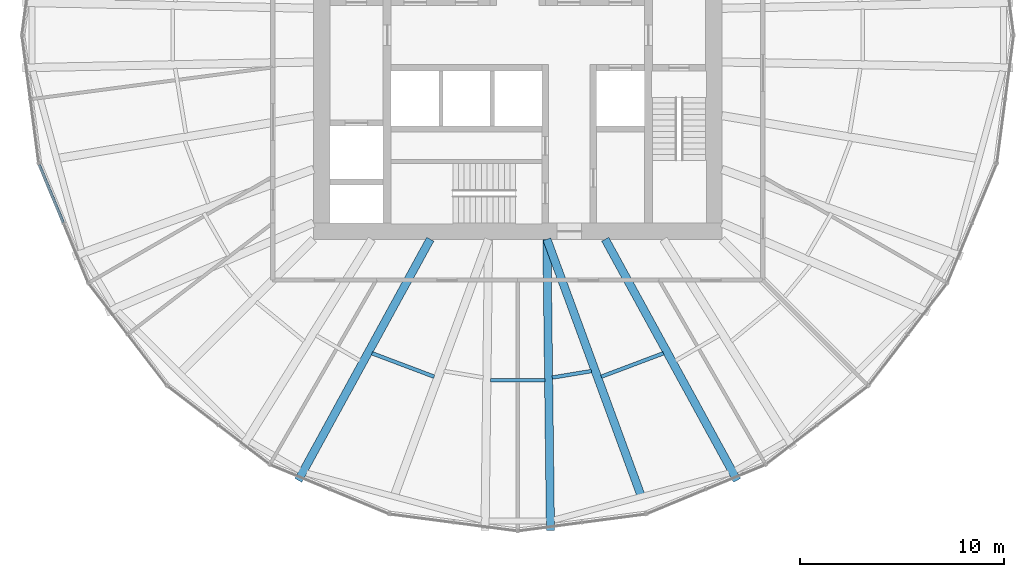
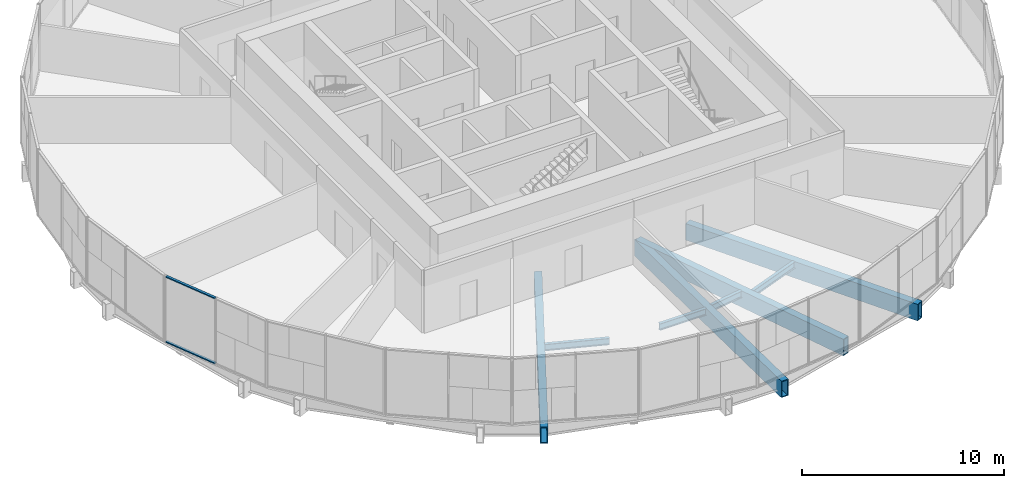
# One storey, part 2 of 13: 8 beams, 2 members, 1 element without a shape of its own.
"""IFC4 building model written with IfcOpenShell, lengths in metres."""

from ifc_helpers import new_model, si_unit, direction, frame, origin, origin_2d, place, context, subcontext, project, spatial, rectangle, hollow_rectangle, i_section, extrude, material, material_profile, profile_set, type_object, element, aggregate, save


model = new_model("IFC4")

# Units and contexts
model_context = context("Model", 3, precision=1e-05, world=origin(), true_north=direction((0.0, 1.0)))
body_context = subcontext(model_context, "Body", "Model", "MODEL_VIEW")
ifc_project = project(units=[si_unit("LENGTHUNIT", "METRE"), si_unit("AREAUNIT", "SQUARE_METRE"), si_unit("VOLUMEUNIT", "CUBIC_METRE"), si_unit("PLANEANGLEUNIT", "RADIAN"), si_unit("MASSUNIT", "GRAM", prefix="KILO")], contexts=[model_context])

# Site, building, storey
site_placement = place(None, origin())
site = spatial("IfcSite", under=ifc_project, at=site_placement, CompositionType="ELEMENT")
building_placement = place(site_placement, origin())
building = spatial("IfcBuilding", under=site, at=building_placement, Name="Golbaran Civic Tower", CompositionType="ELEMENT")
storey_placement = place(building_placement, frame((0.0, 0.0, 81.0)))
storey = spatial("IfcBuildingStorey", under=building, at=storey_placement, Name="L19", CompositionType="ELEMENT", Elevation=81.0)

# Beams
ifc_material_1 = material(Name="Steel S355", Category="steel")
ifc_material_profile_1 = material_profile(ifc_material_1, i_section(OverallWidth=0.179931640625, OverallDepth=0.39990234375, WebThickness=0.008544921875, FlangeThickness=0.013427734375, FilletRadius=0.02099609375, at=origin_2d()), Name="IPE 400")
ifc_profile_set_1 = profile_set([ifc_material_profile_1], Name="Steel S355")
beam_type_1 = type_object("IfcBeamType", Name="FLOOR INFILL BEAM IPE 400", PredefinedType="BEAM", material=ifc_profile_set_1)
beam_1_placement = place(storey_placement, frame((-7.136962890625, -15.58447265625, -0.39990234375), z_axis=(0.935751282386, -0.352660654897, 0.0), x_axis=(0.352660654897, 0.935751282386, 0.0)))
element("IfcBeam", 1, at=beam_1_placement, inside=storey, type_object=beam_type_1, Name="Infill beam 249.35 L19", PredefinedType="BEAM", context=body_context, shape_type="SweptSolid", body=[
    extrude(i_section(OverallWidth=0.179931640625, OverallDepth=0.39990234375, WebThickness=0.008544921875, FlangeThickness=0.013427734375, FilletRadius=0.02099609375, at=origin_2d()), origin(), (0.0, 0.0, 1.0), 3.253662109375),
])
beam_2_placement = place(storey_placement, frame((-1.332763671875, -16.8994140625, -0.39990234375), z_axis=(1.0, 0.0, 0.0), x_axis=(0.0, 1.0, 0.0)))
element("IfcBeam", 2, at=beam_2_placement, inside=storey, type_object=beam_type_1, Name="Infill beam 270.00 L19", PredefinedType="BEAM", context=body_context, shape_type="SweptSolid", body=[
    extrude(i_section(OverallWidth=0.179931640625, OverallDepth=0.39990234375, WebThickness=0.008544921875, FlangeThickness=0.013427734375, FilletRadius=0.02099609375, at=origin_2d()), origin(), (0.0, 0.0, 1.0), 2.66552734375),
])
beam_3_placement = place(storey_placement, frame((1.691162109375, -16.772705078125, -0.39990234375), z_axis=(0.986728144037, 0.162380940275, 0.0), x_axis=(-0.162380940275, 0.986728144037, 0.0)))
element("IfcBeam", 3, at=beam_3_placement, inside=storey, type_object=beam_type_1, Name="Infill beam 279.35 L19", PredefinedType="BEAM", context=body_context, shape_type="SweptSolid", body=[
    extrude(i_section(OverallWidth=0.179931640625, OverallDepth=0.39990234375, WebThickness=0.008544921875, FlangeThickness=0.013427734375, FilletRadius=0.02099609375, at=origin_2d()), origin(), (0.0, 0.0, 1.0), 1.942626953125),
])
beam_4_placement = place(storey_placement, frame((4.09228515625, -16.73193359375, -0.39990234375), z_axis=(0.935751282386, 0.352660654897, 0.0), x_axis=(-0.352660654897, 0.935751282386, 0.0)))
element("IfcBeam", 4, at=beam_4_placement, inside=storey, type_object=beam_type_1, Name="Infill beam 290.65 L19", PredefinedType="BEAM", context=body_context, shape_type="SweptSolid", body=[
    extrude(i_section(OverallWidth=0.179931640625, OverallDepth=0.39990234375, WebThickness=0.008544921875, FlangeThickness=0.013427734375, FilletRadius=0.02099609375, at=origin_2d()), origin(), (0.0, 0.0, 1.0), 3.253662109375),
])

# Curtain wall, members
ifc_material_2 = material(Name="Aluminium and glass", Category="aluminium")
curtain_wall_type = type_object("IfcCurtainWallType", Name="INNER SKIN CURTAIN WALL", PredefinedType="NOTDEFINED", material=ifc_material_2)
curtain_wall_placement = place(storey_placement, origin())
curtain_wall = element("IfcCurtainWall", 5, at=curtain_wall_placement, inside=storey, type_object=curtain_wall_type, Name="Inner skin L19 facet 14 CW1", ObjectType="INNER SKIN", PredefinedType="USERDEFINED")
ifc_material_3 = material(Name="Aluminium", Category="aluminium")
ifc_material_profile_2 = material_profile(ifc_material_3, rectangle(XDim=0.139892578125, YDim=0.06494140625, at=origin_2d()), Name="INNER SKIN CURTAIN WALL TRANSOM")
ifc_profile_set_2 = profile_set([ifc_material_profile_2], Name="Aluminium")
member_type = type_object("IfcMemberType", Name="INNER SKIN CURTAIN WALL TRANSOM", PredefinedType="USERDEFINED", material=ifc_profile_set_2)
member_1_placement = place(storey_placement, frame((-23.4375, -6.3466796875, 0.032470703125), z_axis=(0.382690924362, -0.923876429189, 0.0), x_axis=(0.923876429189, 0.382690924362, 0.0)))
member_1 = element("IfcMember", 6, at=member_1_placement, type_object=member_type, Name="CW1 transom 1.1", ObjectType="TRANSOM", PredefinedType="USERDEFINED", context=body_context, shape_type="SweptSolid", body=[
    extrude(rectangle(XDim=0.139892578125, YDim=0.06494140625, at=origin_2d()), origin(), (0.0, 0.0, 1.0), 3.072998046875),
])
member_2_placement = place(storey_placement, frame((-23.4375, -6.3466796875, 3.967529296875), z_axis=(0.382690924362, -0.923876429189, 0.0), x_axis=(0.923876429189, 0.382690924362, 0.0)))
member_2 = element("IfcMember", 7, at=member_2_placement, type_object=member_type, Name="CW1 transom 1.2", ObjectType="TRANSOM", PredefinedType="USERDEFINED", context=body_context, shape_type="SweptSolid", body=[
    extrude(rectangle(XDim=0.139892578125, YDim=0.06494140625, at=origin_2d()), origin(), (0.0, 0.0, 1.0), 3.072998046875),
])
aggregate(curtain_wall, [member_1, member_2])

# Beams
ifc_material_profile_3 = material_profile(ifc_material_1, hollow_rectangle(XDim=0.39990234375, YDim=1.0, WallThickness=0.050048828125, at=origin_2d()), Name="BOX 1000x400x50")
ifc_profile_set_3 = profile_set([ifc_material_profile_3], Name="Steel S355")
beam_type_2 = type_object("IfcBeamType", Name="RADIAL FLOOR BEAM BOX 1000x400x50", PredefinedType="BEAM", material=ifc_profile_set_3)
beam_5_placement = place(storey_placement, frame((-4.28564453125, -10.0, -0.7099609375), z_axis=(-0.480115960165, -0.877205030078, 0.0), x_axis=(0.877205030078, -0.480115960165, 0.0)))
element("IfcBeam", 8, at=beam_5_placement, inside=storey, type_object=beam_type_2, Name="Radial beam 243.70 L19", PredefinedType="BEAM", context=body_context, shape_type="SweptSolid", body=[
    extrude(hollow_rectangle(XDim=0.39990234375, YDim=1.0, WallThickness=0.050048828125, at=origin_2d()), origin(), (0.0, 0.0, 1.0), 13.461669921875),
])
beam_6_placement = place(storey_placement, frame((1.428466796875, -10.0, -0.7099609375), z_axis=(0.012206322448, -0.999925500071, 0.0), x_axis=(0.999925500071, 0.012206322448, 0.0)))
element("IfcBeam", 9, at=beam_6_placement, inside=storey, type_object=beam_type_2, Name="Radial beam 273.70 L19", PredefinedType="BEAM", context=body_context, shape_type="SweptSolid", body=[
    extrude(hollow_rectangle(XDim=0.39990234375, YDim=1.0, WallThickness=0.050048828125, at=origin_2d()), origin(), (0.0, 0.0, 1.0), 14.2607421875),
])
beam_7_placement = place(storey_placement, frame((4.28564453125, -10.0, -0.7099609375), z_axis=(0.480115960165, -0.877205030078, 0.0), x_axis=(0.877205030078, 0.480115960165, 0.0)))
element("IfcBeam", 10, at=beam_7_placement, inside=storey, type_object=beam_type_2, Name="Radial beam 296.30 L19", PredefinedType="BEAM", context=body_context, shape_type="SweptSolid", body=[
    extrude(hollow_rectangle(XDim=0.39990234375, YDim=1.0, WallThickness=0.050048828125, at=origin_2d()), origin(), (0.0, 0.0, 1.0), 13.461669921875),
])
ifc_material_profile_4 = material_profile(ifc_material_1, hollow_rectangle(XDim=0.39990234375, YDim=1.0, WallThickness=0.0400390625, at=origin_2d()), Name="BOX 1000x400x40")
ifc_profile_set_4 = profile_set([ifc_material_profile_4], Name="Steel S355")
beam_type_3 = type_object("IfcBeamType", Name="SECONDARY FLOOR BEAM BOX 1000x400x40", PredefinedType="BEAM", material=ifc_profile_set_4)
beam_8_placement = place(storey_placement, frame((1.428466796875, -10.0, -0.7099609375), z_axis=(0.344714129969, -0.938707712017, 0.0), x_axis=(0.938707712017, 0.344714129969, 0.0)))
element("IfcBeam", 11, at=beam_8_placement, inside=storey, type_object=beam_type_3, Name="Secondary beam 285.00 L19", PredefinedType="BEAM", context=body_context, shape_type="SweptSolid", body=[
    extrude(hollow_rectangle(XDim=0.39990234375, YDim=1.0, WallThickness=0.0400390625, at=origin_2d()), origin(), (0.0, 0.0, 1.0), 13.42529296875),
])

save(model, "model.ifc")
